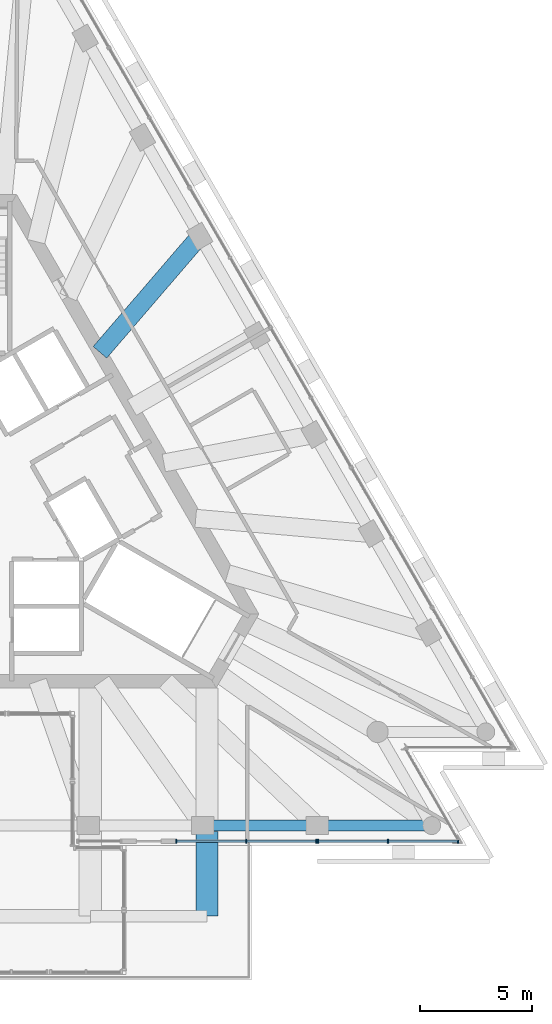
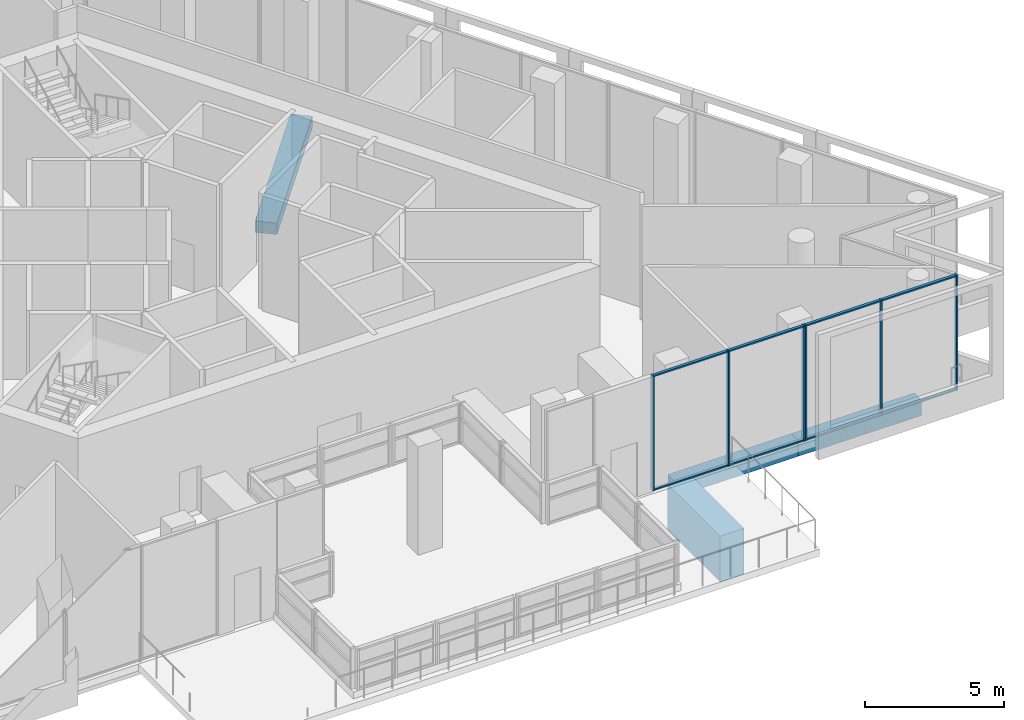
# One storey, part 6 of 17: 14 members, 4 beams, 2 elements without a shape of their own.
"""IFC4 building model written with IfcOpenShell, lengths in metres."""

from ifc_helpers import new_model, si_unit, direction, frame, origin, origin_2d, place, context, subcontext, project, spatial, rectangle, extrude, material, layer, layer_set, material_profile, profile_set, type_object, element, aggregate, save


model = new_model("IFC4")

# Units and contexts
model_context = context("Model", 3, precision=1e-05, world=origin(), true_north=direction((0.0, 1.0)))
body_context = subcontext(model_context, "Body", "Model", "MODEL_VIEW")
ifc_project = project(units=[si_unit("LENGTHUNIT", "METRE"), si_unit("AREAUNIT", "SQUARE_METRE"), si_unit("VOLUMEUNIT", "CUBIC_METRE"), si_unit("PLANEANGLEUNIT", "RADIAN"), si_unit("MASSUNIT", "GRAM", prefix="KILO")], contexts=[model_context])

# Site, building, storey
site_placement = place(None, origin())
site = spatial("IfcSite", under=ifc_project, at=site_placement, CompositionType="ELEMENT")
building_placement = place(site_placement, origin())
building = spatial("IfcBuilding", under=site, at=building_placement, Name="Triada Interchange Tower", CompositionType="ELEMENT")
storey_placement = place(building_placement, frame((0.0, 0.0, 322.300048828125)))
storey = spatial("IfcBuildingStorey", under=building, at=storey_placement, Name="L77", CompositionType="ELEMENT", Elevation=322.300048828125)

# Curtain wall, members
ifc_material_1 = material(Name="Aluminium framed glazing", Category="aluminium")
ifc_layer = layer(ifc_material_1, 0.199951171875)
ifc_layer_set = layer_set([ifc_layer], Name="Curtain wall Sky lobby glazing")
curtain_wall_type = type_object("IfcCurtainWallType", Name="Curtain wall Sky lobby glazing", PredefinedType="NOTDEFINED", material=ifc_layer_set)
curtain_wall_1_placement = place(storey_placement, origin())
curtain_wall_1 = element("IfcCurtainWall", 1, at=curtain_wall_1_placement, inside=storey, type_object=curtain_wall_type, Name="Sky lobby glazing CW313 L77", PredefinedType="NOTDEFINED")
ifc_material_2 = material(Name="Aluminium", Category="aluminium")
ifc_material_profile_1 = material_profile(ifc_material_2, rectangle(XDim=0.159912109375, YDim=0.06005859375, at=origin_2d()), Name="Aluminium mullion")
ifc_profile_set_1 = profile_set([ifc_material_profile_1], Name="Aluminium")
member_type_1 = type_object("IfcMemberType", Name="Mullion Sky lobby glazing 160x60", PredefinedType="MULLION", material=ifc_profile_set_1)
member_1_placement = place(storey_placement, frame((9.0400390625, -15.300048828125, 0.0), z_axis=(0.0, 0.0, 1.0), x_axis=(0.0, 1.0, 0.0)))
member_1 = element("IfcMember", 2, at=member_1_placement, type_object=member_type_1, Name="CW313 mullion 1", PredefinedType="MULLION", context=body_context, shape_type="SweptSolid", body=[
    extrude(rectangle(XDim=0.159912109375, YDim=0.06005859375, at=origin_2d()), origin(), (0.0, 0.0, 1.0), 5.050048828125),
])
member_2_placement = place(storey_placement, frame((12.172119140625, -15.300048828125, 0.0), z_axis=(0.0, 0.0, 1.0), x_axis=(0.0, 1.0, 0.0)))
member_2 = element("IfcMember", 3, at=member_2_placement, type_object=member_type_1, Name="CW313 mullion 2", PredefinedType="MULLION", context=body_context, shape_type="SweptSolid", body=[
    extrude(rectangle(XDim=0.159912109375, YDim=0.06005859375, at=origin_2d()), origin(), (0.0, 0.0, 1.0), 5.050048828125),
])
member_3_placement = place(storey_placement, frame((15.303955078125, -15.300048828125, 0.0), z_axis=(0.0, 0.0, 1.0), x_axis=(0.0, 1.0, 0.0)))
member_3 = element("IfcMember", 4, at=member_3_placement, type_object=member_type_1, Name="CW313 mullion 3", PredefinedType="MULLION", context=body_context, shape_type="SweptSolid", body=[
    extrude(rectangle(XDim=0.159912109375, YDim=0.06005859375, at=origin_2d()), origin(), (0.0, 0.0, 1.0), 5.050048828125),
])

curtain_wall_2_placement = place(storey_placement, origin())
curtain_wall_2 = element("IfcCurtainWall", 5, at=curtain_wall_2_placement, inside=storey, type_object=curtain_wall_type, Name="Sky lobby glazing CW314 L77", PredefinedType="NOTDEFINED")
member_4_placement = place(storey_placement, frame((15.3740234375, -15.300048828125, 0.0), z_axis=(0.0, 0.0, 1.0), x_axis=(0.0, 1.0, 0.0)))
member_4 = element("IfcMember", 6, at=member_4_placement, type_object=member_type_1, Name="CW314 mullion 1", PredefinedType="MULLION", context=body_context, shape_type="SweptSolid", body=[
    extrude(rectangle(XDim=0.159912109375, YDim=0.06005859375, at=origin_2d()), origin(), (0.0, 0.0, 1.0), 5.050048828125),
])
member_5_placement = place(storey_placement, frame((18.506103515625, -15.300048828125, 0.0), z_axis=(0.0, 0.0, 1.0), x_axis=(0.0, 1.0, 0.0)))
member_5 = element("IfcMember", 7, at=member_5_placement, type_object=member_type_1, Name="CW314 mullion 2", PredefinedType="MULLION", context=body_context, shape_type="SweptSolid", body=[
    extrude(rectangle(XDim=0.159912109375, YDim=0.06005859375, at=origin_2d()), origin(), (0.0, 0.0, 1.0), 5.050048828125),
])
member_6_placement = place(storey_placement, frame((21.637939453125, -15.300048828125, 0.0), z_axis=(0.0, 0.0, 1.0), x_axis=(0.0, 1.0, 0.0)))
member_6 = element("IfcMember", 8, at=member_6_placement, type_object=member_type_1, Name="CW314 mullion 3", PredefinedType="MULLION", context=body_context, shape_type="SweptSolid", body=[
    extrude(rectangle(XDim=0.159912109375, YDim=0.06005859375, at=origin_2d()), origin(), (0.0, 0.0, 1.0), 5.050048828125),
])

# Beams
ifc_material_3 = material(Name="Concrete C50/60", Category="concrete")
ifc_material_profile_2 = material_profile(ifc_material_3, rectangle(XDim=1.0, YDim=2.0, at=origin_2d()), Name="RC 1000x2000")
ifc_profile_set_2 = profile_set([ifc_material_profile_2], Name="Concrete C50/60")
beam_type_1 = type_object("IfcBeamType", Name="Pool cantilever girder RC 1000x2000", PredefinedType="BEAM", material=ifc_profile_set_2)
beam_1_placement = place(storey_placement, frame((10.4140625, -14.863037109375, -1.300048828125), z_axis=(0.0, -1.0, 0.0), x_axis=(1.0, 0.0, 0.0)))
element("IfcBeam", 9, at=beam_1_placement, inside=storey, type_object=beam_type_1, Name="Pool girder 4 cantilever", PredefinedType="BEAM", context=body_context, shape_type="SweptSolid", body=[
    extrude(rectangle(XDim=1.0, YDim=2.0, at=origin_2d()), origin(), (0.0, 0.0, 1.0), 3.786865234375),
])
ifc_material_profile_3 = material_profile(ifc_material_3, rectangle(XDim=0.800048828125, YDim=0.5, at=origin_2d()), Name="RC 800x500")
ifc_profile_set_3 = profile_set([ifc_material_profile_3], Name="Concrete C50/60")
beam_type_2 = type_object("IfcBeamType", Name="Radial band beam D RC 800x500", PredefinedType="BEAM", material=ifc_profile_set_3)
beam_2_placement = place(storey_placement, frame((10.0869140625, 11.72900390625, -0.550048828125), z_axis=(-0.651987928795, -0.758229345717, 0.0), x_axis=(0.758229345717, -0.651987928795, 0.0)))
element("IfcBeam", 10, at=beam_2_placement, inside=storey, type_object=beam_type_2, Name="Radial band beam BD26 L77", PredefinedType="BEAM", context=body_context, shape_type="SweptSolid", body=[
    extrude(rectangle(XDim=0.800048828125, YDim=0.5, at=origin_2d()), origin(), (0.0, 0.0, 1.0), 6.834228515625),
])
ifc_material_profile_4 = material_profile(ifc_material_3, rectangle(XDim=0.5, YDim=0.699951171875, at=origin_2d()), Name="RC 500x700")
ifc_profile_set_4 = profile_set([ifc_material_profile_4], Name="Concrete C50/60")
beam_type_3 = type_object("IfcBeamType", Name="Spandrel beam D RC 500x700", PredefinedType="BEAM", material=ifc_profile_set_4)
beam_3_placement = place(storey_placement, frame((10.22802734375, -14.60009765625, -0.650146484375), z_axis=(1.0, 0.0, 0.0), x_axis=(0.0, 1.0, 0.0)))
element("IfcBeam", 11, at=beam_3_placement, inside=storey, type_object=beam_type_3, Name="Spandrel beam ED17 L77", PredefinedType="BEAM", context=body_context, shape_type="SweptSolid", body=[
    extrude(rectangle(XDim=0.5, YDim=0.699951171875, at=origin_2d()), origin(), (0.0, 0.0, 1.0), 5.113037109375),
])
beam_4_placement = place(storey_placement, frame((15.341064453125, -14.60009765625, -0.650146484375), z_axis=(1.0, 0.0, 0.0), x_axis=(0.0, 1.0, 0.0)))
element("IfcBeam", 12, at=beam_4_placement, inside=storey, type_object=beam_type_3, Name="Spandrel beam ED18 L77", PredefinedType="BEAM", context=body_context, shape_type="SweptSolid", body=[
    extrude(rectangle(XDim=0.5, YDim=0.699951171875, at=origin_2d()), origin(), (0.0, 0.0, 1.0), 5.114013671875),
])

# Member
ifc_material_profile_5 = material_profile(ifc_material_2, rectangle(XDim=0.1201171875, YDim=0.06005859375, at=origin_2d()), Name="Aluminium transom")
ifc_profile_set_5 = profile_set([ifc_material_profile_5], Name="Aluminium")
member_type_2 = type_object("IfcMemberType", Name="Transom Sky lobby glazing 120x60", PredefinedType="USERDEFINED", material=ifc_profile_set_5)
member_7_placement = place(storey_placement, frame((9.070068359375, -15.300048828125, 0.030029296875), z_axis=(1.0, 0.0, 0.0), x_axis=(0.0, 1.0, 0.0)))
member_7 = element("IfcMember", 13, at=member_7_placement, type_object=member_type_2, Name="CW313 transom 1.1", ObjectType="TRANSOM", PredefinedType="USERDEFINED", context=body_context, shape_type="SweptSolid", body=[
    extrude(rectangle(XDim=0.1201171875, YDim=0.06005859375, at=origin_2d()), origin(), (0.0, 0.0, 1.0), 3.072021484375),
])

member_8_placement = place(storey_placement, frame((9.070068359375, -15.300048828125, 5.02001953125), z_axis=(1.0, 0.0, 0.0), x_axis=(0.0, 1.0, 0.0)))
member_8 = element("IfcMember", 14, at=member_8_placement, type_object=member_type_2, Name="CW313 transom 1.2", ObjectType="TRANSOM", PredefinedType="USERDEFINED", context=body_context, shape_type="SweptSolid", body=[
    extrude(rectangle(XDim=0.1201171875, YDim=0.06005859375, at=origin_2d()), origin(), (0.0, 0.0, 1.0), 3.072021484375),
])

member_9_placement = place(storey_placement, frame((12.201904296875, -15.300048828125, 0.030029296875), z_axis=(1.0, 0.0, 0.0), x_axis=(0.0, 1.0, 0.0)))
member_9 = element("IfcMember", 15, at=member_9_placement, type_object=member_type_2, Name="CW313 transom 2.1", ObjectType="TRANSOM", PredefinedType="USERDEFINED", context=body_context, shape_type="SweptSolid", body=[
    extrude(rectangle(XDim=0.1201171875, YDim=0.06005859375, at=origin_2d()), origin(), (0.0, 0.0, 1.0), 3.072021484375),
])

member_10_placement = place(storey_placement, frame((12.201904296875, -15.300048828125, 5.02001953125), z_axis=(1.0, 0.0, 0.0), x_axis=(0.0, 1.0, 0.0)))
member_10 = element("IfcMember", 16, at=member_10_placement, type_object=member_type_2, Name="CW313 transom 2.2", ObjectType="TRANSOM", PredefinedType="USERDEFINED", context=body_context, shape_type="SweptSolid", body=[
    extrude(rectangle(XDim=0.1201171875, YDim=0.06005859375, at=origin_2d()), origin(), (0.0, 0.0, 1.0), 3.072021484375),
])

aggregate(curtain_wall_1, [member_1, member_2, member_3, member_7, member_8, member_9, member_10])

member_11_placement = place(storey_placement, frame((15.404052734375, -15.300048828125, 0.030029296875), z_axis=(1.0, 0.0, 0.0), x_axis=(0.0, 1.0, 0.0)))
member_11 = element("IfcMember", 17, at=member_11_placement, type_object=member_type_2, Name="CW314 transom 1.1", ObjectType="TRANSOM", PredefinedType="USERDEFINED", context=body_context, shape_type="SweptSolid", body=[
    extrude(rectangle(XDim=0.1201171875, YDim=0.06005859375, at=origin_2d()), origin(), (0.0, 0.0, 1.0), 3.072021484375),
])

member_12_placement = place(storey_placement, frame((15.404052734375, -15.300048828125, 5.02001953125), z_axis=(1.0, 0.0, 0.0), x_axis=(0.0, 1.0, 0.0)))
member_12 = element("IfcMember", 18, at=member_12_placement, type_object=member_type_2, Name="CW314 transom 1.2", ObjectType="TRANSOM", PredefinedType="USERDEFINED", context=body_context, shape_type="SweptSolid", body=[
    extrude(rectangle(XDim=0.1201171875, YDim=0.06005859375, at=origin_2d()), origin(), (0.0, 0.0, 1.0), 3.072021484375),
])

member_13_placement = place(storey_placement, frame((18.535888671875, -15.300048828125, 0.030029296875), z_axis=(1.0, 0.0, 0.0), x_axis=(0.0, 1.0, 0.0)))
member_13 = element("IfcMember", 19, at=member_13_placement, type_object=member_type_2, Name="CW314 transom 2.1", ObjectType="TRANSOM", PredefinedType="USERDEFINED", context=body_context, shape_type="SweptSolid", body=[
    extrude(rectangle(XDim=0.1201171875, YDim=0.06005859375, at=origin_2d()), origin(), (0.0, 0.0, 1.0), 3.072021484375),
])

member_14_placement = place(storey_placement, frame((18.535888671875, -15.300048828125, 5.02001953125), z_axis=(1.0, 0.0, 0.0), x_axis=(0.0, 1.0, 0.0)))
member_14 = element("IfcMember", 20, at=member_14_placement, type_object=member_type_2, Name="CW314 transom 2.2", ObjectType="TRANSOM", PredefinedType="USERDEFINED", context=body_context, shape_type="SweptSolid", body=[
    extrude(rectangle(XDim=0.1201171875, YDim=0.06005859375, at=origin_2d()), origin(), (0.0, 0.0, 1.0), 3.072021484375),
])

aggregate(curtain_wall_2, [member_4, member_5, member_6, member_11, member_12, member_13, member_14])

save(model, "model.ifc")
